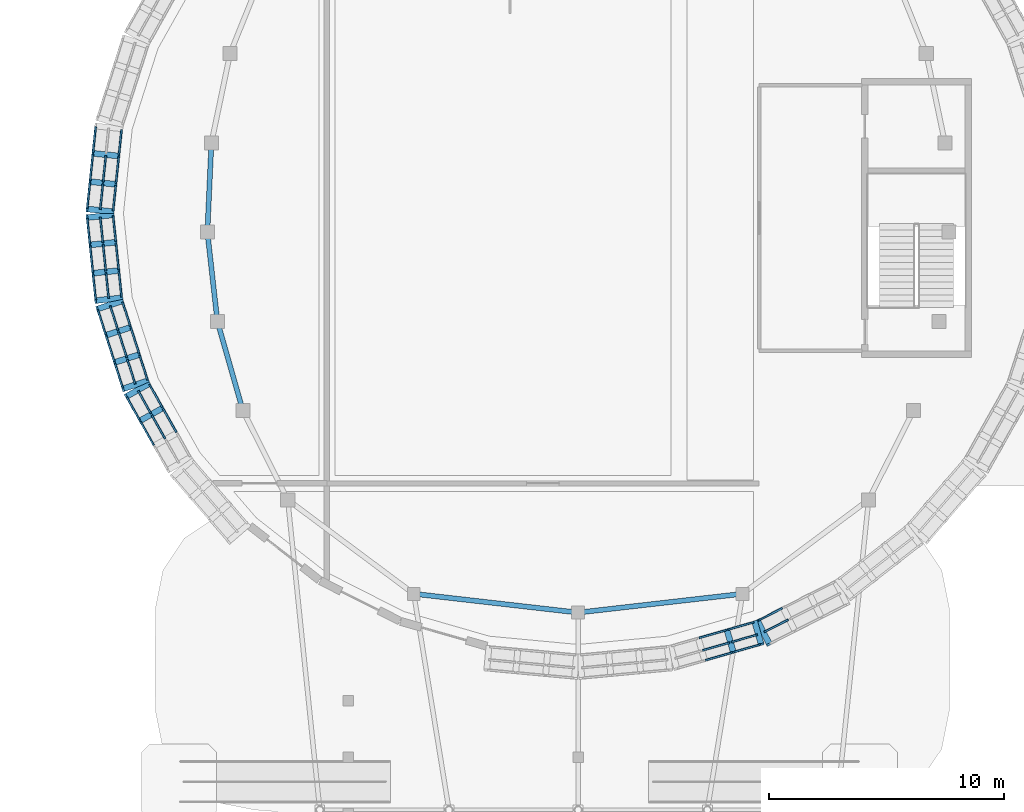
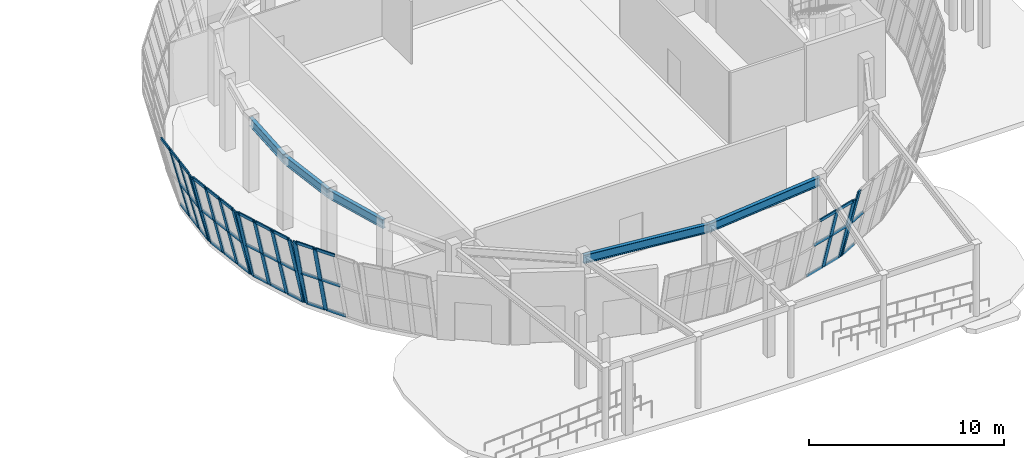
# One storey, part 22 of 120: 56 members, 5 beams, 6 elements without a shape of their own.
"""IFC4 building model written with IfcOpenShell, lengths in metres."""

from ifc_helpers import new_model, si_unit, direction, frame, origin, origin_2d, place, context, subcontext, project, spatial, rectangle, i_section, extrude, material, material_profile, profile_set, type_object, element, aggregate, save


model = new_model("IFC4")

# Units and contexts
model_context = context("Model", 3, precision=1e-05, world=origin(), true_north=direction((0.0, 1.0)))
body_context = subcontext(model_context, "Body", "Model", "MODEL_VIEW")
ifc_project = project(units=[si_unit("LENGTHUNIT", "METRE"), si_unit("AREAUNIT", "SQUARE_METRE"), si_unit("VOLUMEUNIT", "CUBIC_METRE"), si_unit("PLANEANGLEUNIT", "RADIAN"), si_unit("MASSUNIT", "GRAM", prefix="KILO")], contexts=[model_context])

# Site, building, storey
site_placement = place(None, origin())
site = spatial("IfcSite", under=ifc_project, at=site_placement, CompositionType="ELEMENT")
building_placement = place(site_placement, origin())
building = spatial("IfcBuilding", under=site, at=building_placement, Name="Corveleigh Park Community Centre", CompositionType="ELEMENT")
storey_placement = place(building_placement, origin())
storey = spatial("IfcBuildingStorey", under=building, at=storey_placement, Name="L00", CompositionType="ELEMENT", Elevation=0.0)

# Beams
ifc_material_1 = material(Name="Steel S355", Category="steel")
ifc_material_profile_1 = material_profile(ifc_material_1, i_section(OverallWidth=0.210693359375, OverallDepth=0.53955078125, WebThickness=0.01171875, FlangeThickness=0.018798828125, at=origin_2d()), Name="UKB 533x210x109", Category="steel")
ifc_profile_set_1 = profile_set([ifc_material_profile_1], Name="Steel S355")
beam_type = type_object("IfcBeamType", Name="BM-STL-UKB533x109", PredefinedType="BEAM", material=ifc_profile_set_1)
for number, where, z_axis, x_axis, name in (
    (1, (24.0048828125, 11.3994140625, 4.2421875), (0.993533567391, -0.113538761962, 0.0), (0.113538761962, 0.993533567391, 0.0), "V1 Drum Ring Girder"),
    (2, (31.0048828125, 10.6005859375, 4.2421875), (0.993533567391, 0.113538761962, 0.0), (-0.113538761962, 0.993533567391, 0.0), "V1 Drum Ring Girder"),
):
    element("IfcBeam", number, at=place(storey_placement, frame(where, z_axis=z_axis, x_axis=x_axis)), inside=storey, type_object=beam_type, Name=name, PredefinedType="BEAM", context=body_context, shape_type="SweptSolid", body=[
        extrude(i_section(OverallWidth=0.210693359375, OverallDepth=0.53955078125, WebThickness=0.01171875, FlangeThickness=0.018798828125, at=origin_2d()), origin(), (0.0, 0.0, 1.0), 7.03564453125),
    ])
beam_1_placement = place(storey_placement, frame((15.3857421875, 30.594970703125, 4.2421875), z_axis=(-0.045495229392, -0.998964555979, 0.0), x_axis=(0.998964555979, -0.045495229392, 0.0)))
element("IfcBeam", 3, at=beam_1_placement, inside=storey, type_object=beam_type, Name="V1 Drum Ring Girder", PredefinedType="BEAM", context=body_context, shape_type="SweptSolid", body=[
    extrude(i_section(OverallWidth=0.210693359375, OverallDepth=0.53955078125, WebThickness=0.01171875, FlangeThickness=0.018798828125, at=origin_2d()), origin(), (0.0, 0.0, 1.0), 3.7939453125),
])
beam_2_placement = place(storey_placement, frame((15.213623046875, 26.794921875, 4.2421875), z_axis=(0.111892750886, -0.993720288763, 0.0), x_axis=(0.993720288763, 0.111892750886, 0.0)))
element("IfcBeam", 4, at=beam_2_placement, inside=storey, type_object=beam_type, Name="V1 Drum Ring Girder", PredefinedType="BEAM", context=body_context, shape_type="SweptSolid", body=[
    extrude(i_section(OverallWidth=0.210693359375, OverallDepth=0.53955078125, WebThickness=0.01171875, FlangeThickness=0.018798828125, at=origin_2d()), origin(), (0.0, 0.0, 1.0), 3.81396484375),
])
beam_3_placement = place(storey_placement, frame((15.642333984375, 22.9951171875, 4.2421875), z_axis=(0.274336604371, -0.961633728351, 0.0), x_axis=(0.961633728351, 0.274336604371, 0.0)))
element("IfcBeam", 5, at=beam_3_placement, inside=storey, type_object=beam_type, Name="V1 Drum Ring Girder", PredefinedType="BEAM", context=body_context, shape_type="SweptSolid", body=[
    extrude(i_section(OverallWidth=0.210693359375, OverallDepth=0.53955078125, WebThickness=0.01171875, FlangeThickness=0.018798828125, at=origin_2d()), origin(), (0.0, 0.0, 1.0), 3.94140625),
])

# Curtain wall, members
ifc_material_2 = material(Name="Anodised aluminium 6063-T6", Category="aluminium")
curtain_wall_type = type_object("IfcCurtainWallType", Name="CW-SYS-V1-L00", PredefinedType="NOTDEFINED", material=ifc_material_2)
curtain_wall_1_placement = place(storey_placement, origin())
curtain_wall_1 = element("IfcCurtainWall", 6, at=curtain_wall_1_placement, inside=storey, type_object=curtain_wall_type, Name="Main Hall Flared Drum CW 16", PredefinedType="NOTDEFINED")
ifc_material_profile_2 = material_profile(ifc_material_2, rectangle(XDim=0.080078125, YDim=0.25, at=origin_2d()), Name="ALU-M80x250", Category="aluminium")
ifc_profile_set_2 = profile_set([ifc_material_profile_2], Name="Anodised aluminium 6063-T6")
member_type_1 = type_object("IfcMemberType", Name="CWM-80x250", PredefinedType="MULLION", material=ifc_profile_set_2)
member_1_placement = place(storey_placement, frame((11.452392578125, 30.036376953125, 0.0), z_axis=(-0.240668855263, 0.024885915662, 0.970288201159), x_axis=(0.965142168995, -0.099798732134, 0.241952075196)))
member_1 = element("IfcMember", 7, at=member_1_placement, type_object=member_type_1, Name="CW01 mullion 2", PredefinedType="MULLION", context=body_context, shape_type="SweptSolid", body=[
    extrude(rectangle(XDim=0.080078125, YDim=0.25, at=origin_2d()), origin(), (0.0, 0.0, 1.0), 4.650146484375),
])
member_2_placement = place(storey_placement, frame((11.32763671875, 28.831787109375, 0.0), z_axis=(-0.240619393384, 0.024886230082, 0.970300460208), x_axis=(0.965152134893, -0.099821538717, 0.241902908044)))
member_2 = element("IfcMember", 8, at=member_2_placement, type_object=member_type_1, Name="CW01 mullion 3", PredefinedType="MULLION", context=body_context, shape_type="SweptSolid", body=[
    extrude(rectangle(XDim=0.080078125, YDim=0.25, at=origin_2d()), origin(), (0.0, 0.0, 1.0), 4.650146484375),
])
member_3_placement = place(storey_placement, frame((11.20703125, 27.666748046875, 0.0), z_axis=(-0.240619393384, 0.024886230082, 0.970300460208), x_axis=(0.965152134893, -0.099821538717, 0.241902908044)))
member_3 = element("IfcMember", 9, at=member_3_placement, type_object=member_type_1, Name="CW01 mullion 4", PredefinedType="MULLION", context=body_context, shape_type="SweptSolid", body=[
    extrude(rectangle(XDim=0.080078125, YDim=0.25, at=origin_2d()), origin(), (0.0, 0.0, 1.0), 4.650146484375),
])

curtain_wall_2_placement = place(storey_placement, origin())
curtain_wall_2 = element("IfcCurtainWall", 10, at=curtain_wall_2_placement, inside=storey, type_object=curtain_wall_type, Name="Main Hall Flared Drum CW 17", PredefinedType="NOTDEFINED")
member_4_placement = place(storey_placement, frame((11.20703125, 27.533203125, 0.0), z_axis=(-0.240619393384, -0.024886230082, 0.970300460208), x_axis=(0.965152134893, 0.099821538717, 0.241902908044)))
member_4 = element("IfcMember", 11, at=member_4_placement, type_object=member_type_1, Name="CW01 mullion 1", PredefinedType="MULLION", context=body_context, shape_type="SweptSolid", body=[
    extrude(rectangle(XDim=0.080078125, YDim=0.25, at=origin_2d()), origin(), (0.0, 0.0, 1.0), 4.650146484375),
])
member_5_placement = place(storey_placement, frame((11.32763671875, 26.368408203125, 0.0), z_axis=(-0.240619078662, -0.024938700058, 0.970299191087), x_axis=(0.965129300216, 0.100029766005, 0.241907998579)))
member_5 = element("IfcMember", 12, at=member_5_placement, type_object=member_type_1, Name="CW01 mullion 2", PredefinedType="MULLION", context=body_context, shape_type="SweptSolid", body=[
    extrude(rectangle(XDim=0.080078125, YDim=0.25, at=origin_2d()), origin(), (0.0, 0.0, 1.0), 4.650146484375),
])
member_6_placement = place(storey_placement, frame((11.452392578125, 25.16357421875, 0.0), z_axis=(-0.240668855263, -0.024885915662, 0.970288201159), x_axis=(0.965142168995, 0.099798732134, 0.241952075196)))
member_6 = element("IfcMember", 13, at=member_6_placement, type_object=member_type_1, Name="CW01 mullion 3", PredefinedType="MULLION", context=body_context, shape_type="SweptSolid", body=[
    extrude(rectangle(XDim=0.080078125, YDim=0.25, at=origin_2d()), origin(), (0.0, 0.0, 1.0), 4.650146484375),
])
member_7_placement = place(storey_placement, frame((11.572998046875, 23.998779296875, 0.0), z_axis=(-0.240668855263, -0.024885915662, 0.970288201159), x_axis=(0.965142168995, 0.099798732134, 0.241952075196)))
member_7 = element("IfcMember", 14, at=member_7_placement, type_object=member_type_1, Name="CW01 mullion 4", PredefinedType="MULLION", context=body_context, shape_type="SweptSolid", body=[
    extrude(rectangle(XDim=0.080078125, YDim=0.25, at=origin_2d()), origin(), (0.0, 0.0, 1.0), 4.650146484375),
])

curtain_wall_3_placement = place(storey_placement, origin())
curtain_wall_3 = element("IfcCurtainWall", 15, at=curtain_wall_3_placement, inside=storey, type_object=curtain_wall_type, Name="Main Hall Flared Drum CW 18", PredefinedType="NOTDEFINED")
member_8_placement = place(storey_placement, frame((11.60009765625, 23.867919921875, 0.0), z_axis=(-0.230432884742, -0.073660819616, 0.970296227594), x_axis=(0.924223979595, 0.295440018996, 0.241919884914)))
member_8 = element("IfcMember", 16, at=member_8_placement, type_object=member_type_1, Name="CW01 mullion 1", PredefinedType="MULLION", context=body_context, shape_type="SweptSolid", body=[
    extrude(rectangle(XDim=0.080078125, YDim=0.25, at=origin_2d()), origin(), (0.0, 0.0, 1.0), 4.650146484375),
])
member_9_placement = place(storey_placement, frame((11.958251953125, 22.74755859375, 0.0), z_axis=(-0.230432884742, -0.073660819616, 0.970296227594), x_axis=(0.924223979595, 0.295440018996, 0.241919884914)))
member_9 = element("IfcMember", 17, at=member_9_placement, type_object=member_type_1, Name="CW01 mullion 2", PredefinedType="MULLION", context=body_context, shape_type="SweptSolid", body=[
    extrude(rectangle(XDim=0.080078125, YDim=0.25, at=origin_2d()), origin(), (0.0, 0.0, 1.0), 4.650146484375),
])
member_10_placement = place(storey_placement, frame((12.32861328125, 21.58935546875, 0.0), z_axis=(-0.230432884742, -0.073660819616, 0.970296227594), x_axis=(0.924223979595, 0.295440018996, 0.241919884914)))
member_10 = element("IfcMember", 18, at=member_10_placement, type_object=member_type_1, Name="CW01 mullion 3", PredefinedType="MULLION", context=body_context, shape_type="SweptSolid", body=[
    extrude(rectangle(XDim=0.080078125, YDim=0.25, at=origin_2d()), origin(), (0.0, 0.0, 1.0), 4.650146484375),
])
member_11_placement = place(storey_placement, frame((12.686767578125, 20.468994140625, 0.0), z_axis=(-0.230432884742, -0.073660819616, 0.970296227594), x_axis=(0.924223979595, 0.295440018996, 0.241919884914)))
member_11 = element("IfcMember", 19, at=member_11_placement, type_object=member_type_1, Name="CW01 mullion 4", PredefinedType="MULLION", context=body_context, shape_type="SweptSolid", body=[
    extrude(rectangle(XDim=0.080078125, YDim=0.25, at=origin_2d()), origin(), (0.0, 0.0, 1.0), 4.650146484375),
])

curtain_wall_4_placement = place(storey_placement, origin())
curtain_wall_4 = element("IfcCurtainWall", 20, at=curtain_wall_4_placement, inside=storey, type_object=curtain_wall_type, Name="Main Hall Flared Drum CW 19", PredefinedType="NOTDEFINED")
member_12_placement = place(storey_placement, frame((12.739501953125, 20.34814453125, 0.0), z_axis=(-0.210798134358, -0.118655985965, 0.970301449832), x_axis=(0.845550363495, 0.475951138605, 0.241898938514)))
member_12 = element("IfcMember", 21, at=member_12_placement, type_object=member_type_1, Name="CW01 mullion 1", PredefinedType="MULLION", context=body_context, shape_type="SweptSolid", body=[
    extrude(rectangle(XDim=0.080078125, YDim=0.25, at=origin_2d()), origin(), (0.0, 0.0, 1.0), 4.650146484375),
])
member_13_placement = place(storey_placement, frame((13.3212890625, 19.314697265625, 0.0), z_axis=(-0.210798134358, -0.118655985965, 0.970301449832), x_axis=(0.845550363495, 0.475951138605, 0.241898938514)))
member_13 = element("IfcMember", 22, at=member_13_placement, type_object=member_type_1, Name="CW01 mullion 2", PredefinedType="MULLION", context=body_context, shape_type="SweptSolid", body=[
    extrude(rectangle(XDim=0.080078125, YDim=0.25, at=origin_2d()), origin(), (0.0, 0.0, 1.0), 4.650146484375),
])

curtain_wall_5_placement = place(storey_placement, origin())
curtain_wall_5 = element("IfcCurtainWall", 23, at=curtain_wall_5_placement, inside=storey, type_object=curtain_wall_type, Name="Main Hall Flared Drum CW 23", PredefinedType="NOTDEFINED")
member_14_placement = place(storey_placement, frame((37.3310546875, 9.8720703125, 0.0), z_axis=(0.066903679706, -0.232433116876, 0.970308581752), x_axis=(-0.268396767668, 0.932449418964, 0.241870329265)))
member_14 = element("IfcMember", 24, at=member_14_placement, type_object=member_type_1, Name="CW01 mullion 3", PredefinedType="MULLION", context=body_context, shape_type="SweptSolid", body=[
    extrude(rectangle(XDim=0.080078125, YDim=0.25, at=origin_2d()), origin(), (0.0, 0.0, 1.0), 4.16357421875),
])
member_15_placement = place(storey_placement, frame((38.5146484375, 10.212890625, 0.0), z_axis=(0.066904591437, -0.232377647558, 0.97032180464), x_axis=(-0.268462968055, 0.932444121298, 0.241817276967)))
member_15 = element("IfcMember", 25, at=member_15_placement, type_object=member_type_1, Name="CW01 mullion 4", PredefinedType="MULLION", context=body_context, shape_type="SweptSolid", body=[
    extrude(rectangle(XDim=0.080078125, YDim=0.25, at=origin_2d()), origin(), (0.0, 0.0, 1.0), 4.16357421875),
])

# Curtain wall, member
curtain_wall_6_placement = place(storey_placement, origin())
curtain_wall_6 = element("IfcCurtainWall", 26, at=curtain_wall_6_placement, inside=storey, type_object=curtain_wall_type, Name="Main Hall Flared Drum CW 24", PredefinedType="NOTDEFINED")
member_16_placement = place(storey_placement, frame((38.634765625, 10.260009765625, 0.0), z_axis=(0.10946752743, -0.215732407774, 0.970297062077), x_axis=(-0.439060599847, 0.865275781665, 0.241916537933)))
member_16 = element("IfcMember", 27, at=member_16_placement, type_object=member_type_1, Name="CW01 mullion 1", PredefinedType="MULLION", context=body_context, shape_type="SweptSolid", body=[
    extrude(rectangle(XDim=0.080078125, YDim=0.25, at=origin_2d()), origin(), (0.0, 0.0, 1.0), 4.650146484375),
])

# Member
ifc_material_profile_3 = material_profile(ifc_material_2, rectangle(XDim=0.074951171875, YDim=0.175048828125, at=origin_2d()), Name="ALU-T75x175", Category="aluminium")
ifc_profile_set_3 = profile_set([ifc_material_profile_3], Name="Anodised aluminium 6063-T6")
member_type_2 = type_object("IfcMemberType", Name="CWT-75x175", PredefinedType="USERDEFINED", material=ifc_profile_set_3)
member_17_placement = place(storey_placement, frame((11.5595703125, 31.162353515625, 0.03759765625), z_axis=(-0.102937324698, -0.994687844092, 0.0), x_axis=(0.994687844092, -0.102937324698, 0.0)))
member_17 = element("IfcMember", 28, at=member_17_placement, type_object=member_type_2, Name="CW01 transom 1.1", ObjectType="TRANSOM", PredefinedType="USERDEFINED", context=body_context, shape_type="SweptSolid", body=[
    extrude(rectangle(XDim=0.074951171875, YDim=0.175048828125, at=origin_2d()), origin(), (0.0, 0.0, 1.0), 1.091064453125),
])

member_18_placement = place(storey_placement, frame((10.458984375, 31.2763671875, 4.474609375), z_axis=(-0.102914417151, -0.99469021446, 0.0), x_axis=(0.99469021446, -0.102914417151, 0.0)))
member_18 = element("IfcMember", 29, at=member_18_placement, type_object=member_type_2, Name="CW01 transom 1.3", ObjectType="TRANSOM", PredefinedType="USERDEFINED", context=body_context, shape_type="SweptSolid", body=[
    extrude(rectangle(XDim=0.074951171875, YDim=0.175048828125, at=origin_2d()), origin(), (0.0, 0.0, 1.0), 1.09130859375),
])

member_19_placement = place(storey_placement, frame((11.43896484375, 29.99755859375, 0.03759765625), z_axis=(-0.102943329401, -0.994687222664, 0.0), x_axis=(0.994687222664, -0.102943329401, 0.0)))
member_19 = element("IfcMember", 30, at=member_19_placement, type_object=member_type_2, Name="CW01 transom 2.1", ObjectType="TRANSOM", PredefinedType="USERDEFINED", context=body_context, shape_type="SweptSolid", body=[
    extrude(rectangle(XDim=0.074951171875, YDim=0.175048828125, at=origin_2d()), origin(), (0.0, 0.0, 1.0), 1.13134765625),
])

member_20_placement = place(storey_placement, frame((10.89013671875, 30.05419921875, 2.25), z_axis=(-0.102965432712, -0.994684934875, 0.0), x_axis=(0.994684934875, -0.102965432712, 0.0)))
member_20 = element("IfcMember", 31, at=member_20_placement, type_object=member_type_2, Name="CW01 transom 2.2", ObjectType="TRANSOM", PredefinedType="USERDEFINED", context=body_context, shape_type="SweptSolid", body=[
    extrude(rectangle(XDim=0.074951171875, YDim=0.175048828125, at=origin_2d()), origin(), (0.0, 0.0, 1.0), 1.131103515625),
])

member_21_placement = place(storey_placement, frame((10.33837890625, 30.111328125, 4.474609375), z_axis=(-0.102751853677, -0.994707020467, 0.0), x_axis=(0.994707020467, -0.102751853677, 0.0)))
member_21 = element("IfcMember", 32, at=member_21_placement, type_object=member_type_2, Name="CW01 transom 2.3", ObjectType="TRANSOM", PredefinedType="USERDEFINED", context=body_context, shape_type="SweptSolid", body=[
    extrude(rectangle(XDim=0.074951171875, YDim=0.175048828125, at=origin_2d()), origin(), (0.0, 0.0, 1.0), 1.131103515625),
])

member_22_placement = place(storey_placement, frame((11.314208984375, 28.792724609375, 0.03759765625), z_axis=(-0.102937324698, -0.994687844092, 0.0), x_axis=(0.994687844092, -0.102937324698, 0.0)))
member_22 = element("IfcMember", 33, at=member_22_placement, type_object=member_type_2, Name="CW01 transom 3.1", ObjectType="TRANSOM", PredefinedType="USERDEFINED", context=body_context, shape_type="SweptSolid", body=[
    extrude(rectangle(XDim=0.074951171875, YDim=0.175048828125, at=origin_2d()), origin(), (0.0, 0.0, 1.0), 1.091064453125),
])

member_23_placement = place(storey_placement, frame((10.765625, 28.849609375, 2.25), z_axis=(-0.102937324698, -0.994687844092, 0.0), x_axis=(0.994687844092, -0.102937324698, 0.0)))
member_23 = element("IfcMember", 34, at=member_23_placement, type_object=member_type_2, Name="CW01 transom 3.2", ObjectType="TRANSOM", PredefinedType="USERDEFINED", context=body_context, shape_type="SweptSolid", body=[
    extrude(rectangle(XDim=0.074951171875, YDim=0.175048828125, at=origin_2d()), origin(), (0.0, 0.0, 1.0), 1.091064453125),
])

member_24_placement = place(storey_placement, frame((10.2138671875, 28.90673828125, 4.474609375), z_axis=(-0.102937324698, -0.994687844092, 0.0), x_axis=(0.994687844092, -0.102937324698, 0.0)))
member_24 = element("IfcMember", 35, at=member_24_placement, type_object=member_type_2, Name="CW01 transom 3.3", ObjectType="TRANSOM", PredefinedType="USERDEFINED", context=body_context, shape_type="SweptSolid", body=[
    extrude(rectangle(XDim=0.074951171875, YDim=0.175048828125, at=origin_2d()), origin(), (0.0, 0.0, 1.0), 1.091064453125),
])

aggregate(curtain_wall_1, [member_1, member_2, member_3, member_17, member_18, member_19, member_20, member_21, member_22, member_23, member_24])

member_25_placement = place(storey_placement, frame((11.201904296875, 27.492431640625, 0.03759765625), z_axis=(0.102937324698, -0.994687844092, 0.0), x_axis=(0.994687844092, 0.102937324698, 0.0)))
member_25 = element("IfcMember", 36, at=member_25_placement, type_object=member_type_2, Name="CW01 transom 1.1", ObjectType="TRANSOM", PredefinedType="USERDEFINED", context=body_context, shape_type="SweptSolid", body=[
    extrude(rectangle(XDim=0.074951171875, YDim=0.175048828125, at=origin_2d()), origin(), (0.0, 0.0, 1.0), 1.091064453125),
])

member_26_placement = place(storey_placement, frame((10.6533203125, 27.435791015625, 2.25), z_axis=(0.102914417151, -0.99469021446, 0.0), x_axis=(0.99469021446, 0.102914417151, 0.0)))
member_26 = element("IfcMember", 37, at=member_26_placement, type_object=member_type_2, Name="CW01 transom 1.2", ObjectType="TRANSOM", PredefinedType="USERDEFINED", context=body_context, shape_type="SweptSolid", body=[
    extrude(rectangle(XDim=0.074951171875, YDim=0.175048828125, at=origin_2d()), origin(), (0.0, 0.0, 1.0), 1.09130859375),
])

member_27_placement = place(storey_placement, frame((10.1015625, 27.378662109375, 4.474609375), z_axis=(0.102914417151, -0.99469021446, 0.0), x_axis=(0.99469021446, 0.102914417151, 0.0)))
member_27 = element("IfcMember", 38, at=member_27_placement, type_object=member_type_2, Name="CW01 transom 1.3", ObjectType="TRANSOM", PredefinedType="USERDEFINED", context=body_context, shape_type="SweptSolid", body=[
    extrude(rectangle(XDim=0.074951171875, YDim=0.175048828125, at=origin_2d()), origin(), (0.0, 0.0, 1.0), 1.09130859375),
])

member_28_placement = place(storey_placement, frame((11.322509765625, 26.32763671875, 0.03759765625), z_axis=(0.102943329401, -0.994687222664, 0.0), x_axis=(0.994687222664, 0.102943329401, 0.0)))
member_28 = element("IfcMember", 39, at=member_28_placement, type_object=member_type_2, Name="CW01 transom 2.1", ObjectType="TRANSOM", PredefinedType="USERDEFINED", context=body_context, shape_type="SweptSolid", body=[
    extrude(rectangle(XDim=0.074951171875, YDim=0.175048828125, at=origin_2d()), origin(), (0.0, 0.0, 1.0), 1.13134765625),
])

member_29_placement = place(storey_placement, frame((10.773681640625, 26.270751953125, 2.25), z_axis=(0.102965432712, -0.994684934875, 0.0), x_axis=(0.994684934875, 0.102965432712, 0.0)))
member_29 = element("IfcMember", 40, at=member_29_placement, type_object=member_type_2, Name="CW01 transom 2.2", ObjectType="TRANSOM", PredefinedType="USERDEFINED", context=body_context, shape_type="SweptSolid", body=[
    extrude(rectangle(XDim=0.074951171875, YDim=0.175048828125, at=origin_2d()), origin(), (0.0, 0.0, 1.0), 1.131103515625),
])

member_30_placement = place(storey_placement, frame((10.22216796875, 26.213623046875, 4.474609375), z_axis=(0.102751853677, -0.994707020467, 0.0), x_axis=(0.994707020467, 0.102751853677, 0.0)))
member_30 = element("IfcMember", 41, at=member_30_placement, type_object=member_type_2, Name="CW01 transom 2.3", ObjectType="TRANSOM", PredefinedType="USERDEFINED", context=body_context, shape_type="SweptSolid", body=[
    extrude(rectangle(XDim=0.074951171875, YDim=0.175048828125, at=origin_2d()), origin(), (0.0, 0.0, 1.0), 1.131103515625),
])

member_31_placement = place(storey_placement, frame((11.447265625, 25.122802734375, 0.03759765625), z_axis=(0.102937324698, -0.994687844092, 0.0), x_axis=(0.994687844092, 0.102937324698, 0.0)))
member_31 = element("IfcMember", 42, at=member_31_placement, type_object=member_type_2, Name="CW01 transom 3.1", ObjectType="TRANSOM", PredefinedType="USERDEFINED", context=body_context, shape_type="SweptSolid", body=[
    extrude(rectangle(XDim=0.074951171875, YDim=0.175048828125, at=origin_2d()), origin(), (0.0, 0.0, 1.0), 1.091064453125),
])

member_32_placement = place(storey_placement, frame((10.8984375, 25.066162109375, 2.25), z_axis=(0.102914417151, -0.99469021446, 0.0), x_axis=(0.99469021446, 0.102914417151, 0.0)))
member_32 = element("IfcMember", 43, at=member_32_placement, type_object=member_type_2, Name="CW01 transom 3.2", ObjectType="TRANSOM", PredefinedType="USERDEFINED", context=body_context, shape_type="SweptSolid", body=[
    extrude(rectangle(XDim=0.074951171875, YDim=0.175048828125, at=origin_2d()), origin(), (0.0, 0.0, 1.0), 1.09130859375),
])

member_33_placement = place(storey_placement, frame((10.3466796875, 25.009033203125, 4.474609375), z_axis=(0.102937324698, -0.994687844092, 0.0), x_axis=(0.994687844092, 0.102937324698, 0.0)))
member_33 = element("IfcMember", 44, at=member_33_placement, type_object=member_type_2, Name="CW01 transom 3.3", ObjectType="TRANSOM", PredefinedType="USERDEFINED", context=body_context, shape_type="SweptSolid", body=[
    extrude(rectangle(XDim=0.074951171875, YDim=0.175048828125, at=origin_2d()), origin(), (0.0, 0.0, 1.0), 1.091064453125),
])

aggregate(curtain_wall_2, [member_4, member_5, member_6, member_7, member_25, member_26, member_27, member_28, member_29, member_30, member_31, member_32, member_33])

member_34_placement = place(storey_placement, frame((11.603515625, 23.826904296875, 0.03759765625), z_axis=(0.304508988552, -0.952509462363, 0.0), x_axis=(0.952509462363, 0.304508988552, 0.0)))
member_34 = element("IfcMember", 45, at=member_34_placement, type_object=member_type_2, Name="CW01 transom 1.1", ObjectType="TRANSOM", PredefinedType="USERDEFINED", context=body_context, shape_type="SweptSolid", body=[
    extrude(rectangle(XDim=0.074951171875, YDim=0.175048828125, at=origin_2d()), origin(), (0.0, 0.0, 1.0), 1.095947265625),
])

member_35_placement = place(storey_placement, frame((11.078125, 23.658935546875, 2.25), z_axis=(0.304508988552, -0.952509462363, 0.0), x_axis=(0.952509462363, 0.304508988552, 0.0)))
member_35 = element("IfcMember", 46, at=member_35_placement, type_object=member_type_2, Name="CW01 transom 1.2", ObjectType="TRANSOM", PredefinedType="USERDEFINED", context=body_context, shape_type="SweptSolid", body=[
    extrude(rectangle(XDim=0.074951171875, YDim=0.175048828125, at=origin_2d()), origin(), (0.0, 0.0, 1.0), 1.095947265625),
])

member_36_placement = place(storey_placement, frame((10.5498046875, 23.489990234375, 4.474609375), z_axis=(0.304508988552, -0.952509462363, 0.0), x_axis=(0.952509462363, 0.304508988552, 0.0)))
member_36 = element("IfcMember", 47, at=member_36_placement, type_object=member_type_2, Name="CW01 transom 1.3", ObjectType="TRANSOM", PredefinedType="USERDEFINED", context=body_context, shape_type="SweptSolid", body=[
    extrude(rectangle(XDim=0.074951171875, YDim=0.175048828125, at=origin_2d()), origin(), (0.0, 0.0, 1.0), 1.095947265625),
])

member_37_placement = place(storey_placement, frame((11.961669921875, 22.706787109375, 0.03759765625), z_axis=(0.304471649393, -0.952521398561, 0.0), x_axis=(0.952521398561, 0.304471649393, 0.0)))
member_37 = element("IfcMember", 48, at=member_37_placement, type_object=member_type_2, Name="CW01 transom 2.1", ObjectType="TRANSOM", PredefinedType="USERDEFINED", context=body_context, shape_type="SweptSolid", body=[
    extrude(rectangle(XDim=0.074951171875, YDim=0.175048828125, at=origin_2d()), origin(), (0.0, 0.0, 1.0), 1.13623046875),
])

member_38_placement = place(storey_placement, frame((11.43603515625, 22.538818359375, 2.25), z_axis=(0.304666581719, -0.952459066828, 0.0), x_axis=(0.952459066828, 0.304666581719, 0.0)))
member_38 = element("IfcMember", 49, at=member_38_placement, type_object=member_type_2, Name="CW01 transom 2.2", ObjectType="TRANSOM", PredefinedType="USERDEFINED", context=body_context, shape_type="SweptSolid", body=[
    extrude(rectangle(XDim=0.074951171875, YDim=0.175048828125, at=origin_2d()), origin(), (0.0, 0.0, 1.0), 1.13623046875),
])

member_39_placement = place(storey_placement, frame((10.907958984375, 22.369873046875, 4.474609375), z_axis=(0.304471649393, -0.952521398561, 0.0), x_axis=(0.952521398561, 0.304471649393, 0.0)))
member_39 = element("IfcMember", 50, at=member_39_placement, type_object=member_type_2, Name="CW01 transom 2.3", ObjectType="TRANSOM", PredefinedType="USERDEFINED", context=body_context, shape_type="SweptSolid", body=[
    extrude(rectangle(XDim=0.074951171875, YDim=0.175048828125, at=origin_2d()), origin(), (0.0, 0.0, 1.0), 1.13623046875),
])

member_40_placement = place(storey_placement, frame((12.33203125, 21.54833984375, 0.03759765625), z_axis=(0.304508988552, -0.952509462363, 0.0), x_axis=(0.952509462363, 0.304508988552, 0.0)))
member_40 = element("IfcMember", 51, at=member_40_placement, type_object=member_type_2, Name="CW01 transom 3.1", ObjectType="TRANSOM", PredefinedType="USERDEFINED", context=body_context, shape_type="SweptSolid", body=[
    extrude(rectangle(XDim=0.074951171875, YDim=0.175048828125, at=origin_2d()), origin(), (0.0, 0.0, 1.0), 1.095947265625),
])

member_41_placement = place(storey_placement, frame((11.806396484375, 21.38037109375, 2.25), z_axis=(0.304711069795, -0.952444835119, 0.0), x_axis=(0.952444835119, 0.304711069795, 0.0)))
member_41 = element("IfcMember", 52, at=member_41_placement, type_object=member_type_2, Name="CW01 transom 3.2", ObjectType="TRANSOM", PredefinedType="USERDEFINED", context=body_context, shape_type="SweptSolid", body=[
    extrude(rectangle(XDim=0.074951171875, YDim=0.175048828125, at=origin_2d()), origin(), (0.0, 0.0, 1.0), 1.095947265625),
])

member_42_placement = place(storey_placement, frame((11.278076171875, 21.21142578125, 4.474609375), z_axis=(0.304711069795, -0.952444835119, 0.0), x_axis=(0.952444835119, 0.304711069795, 0.0)))
member_42 = element("IfcMember", 53, at=member_42_placement, type_object=member_type_2, Name="CW01 transom 3.3", ObjectType="TRANSOM", PredefinedType="USERDEFINED", context=body_context, shape_type="SweptSolid", body=[
    extrude(rectangle(XDim=0.074951171875, YDim=0.175048828125, at=origin_2d()), origin(), (0.0, 0.0, 1.0), 1.095947265625),
])

aggregate(curtain_wall_3, [member_8, member_9, member_10, member_11, member_34, member_35, member_36, member_37, member_38, member_39, member_40, member_41, member_42])

member_43_placement = place(storey_placement, frame((12.7509765625, 20.30859375, 0.03759765625), z_axis=(0.490565186833, -0.871404497043, 0.0), x_axis=(0.871404497043, 0.490565186833, 0.0)))
member_43 = element("IfcMember", 54, at=member_43_placement, type_object=member_type_2, Name="CW01 transom 1.1", ObjectType="TRANSOM", PredefinedType="USERDEFINED", context=body_context, shape_type="SweptSolid", body=[
    extrude(rectangle(XDim=0.074951171875, YDim=0.175048828125, at=origin_2d()), origin(), (0.0, 0.0, 1.0), 1.105712890625),
])

member_44_placement = place(storey_placement, frame((12.270263671875, 20.0380859375, 2.25), z_axis=(0.490565186833, -0.871404497043, 0.0), x_axis=(0.871404497043, 0.490565186833, 0.0)))
member_44 = element("IfcMember", 55, at=member_44_placement, type_object=member_type_2, Name="CW01 transom 1.2", ObjectType="TRANSOM", PredefinedType="USERDEFINED", context=body_context, shape_type="SweptSolid", body=[
    extrude(rectangle(XDim=0.074951171875, YDim=0.175048828125, at=origin_2d()), origin(), (0.0, 0.0, 1.0), 1.105712890625),
])

member_45_placement = place(storey_placement, frame((11.787109375, 19.76611328125, 4.474609375), z_axis=(0.490470824454, -0.871457612486, 0.0), x_axis=(0.871457612486, 0.490470824454, 0.0)))
member_45 = element("IfcMember", 56, at=member_45_placement, type_object=member_type_2, Name="CW01 transom 1.3", ObjectType="TRANSOM", PredefinedType="USERDEFINED", context=body_context, shape_type="SweptSolid", body=[
    extrude(rectangle(XDim=0.074951171875, YDim=0.175048828125, at=origin_2d()), origin(), (0.0, 0.0, 1.0), 1.10595703125),
])

member_46_placement = place(storey_placement, frame((13.332763671875, 19.275146484375, 0.03759765625), z_axis=(0.490645560304, -0.871359245176, 0.0), x_axis=(0.871359245176, 0.490645560304, 0.0)))
member_46 = element("IfcMember", 57, at=member_46_placement, type_object=member_type_2, Name="CW01 transom 2.1", ObjectType="TRANSOM", PredefinedType="USERDEFINED", context=body_context, shape_type="SweptSolid", body=[
    extrude(rectangle(XDim=0.074951171875, YDim=0.175048828125, at=origin_2d()), origin(), (0.0, 0.0, 1.0), 1.14599609375),
])

member_47_placement = place(storey_placement, frame((12.85205078125, 19.004638671875, 2.25), z_axis=(0.490483775951, -0.871450323041, 0.0), x_axis=(0.871450323041, 0.490483775951, 0.0)))
member_47 = element("IfcMember", 58, at=member_47_placement, type_object=member_type_2, Name="CW01 transom 2.2", ObjectType="TRANSOM", PredefinedType="USERDEFINED", context=body_context, shape_type="SweptSolid", body=[
    extrude(rectangle(XDim=0.074951171875, YDim=0.175048828125, at=origin_2d()), origin(), (0.0, 0.0, 1.0), 1.145751953125),
])

member_48_placement = place(storey_placement, frame((12.36865234375, 18.732666015625, 4.474609375), z_axis=(0.490554491168, -0.87141051818, 0.0), x_axis=(0.87141051818, 0.490554491168, 0.0)))
member_48 = element("IfcMember", 59, at=member_48_placement, type_object=member_type_2, Name="CW01 transom 2.3", ObjectType="TRANSOM", PredefinedType="USERDEFINED", context=body_context, shape_type="SweptSolid", body=[
    extrude(rectangle(XDim=0.074951171875, YDim=0.175048828125, at=origin_2d()), origin(), (0.0, 0.0, 1.0), 1.146240234375),
])

aggregate(curtain_wall_4, [member_12, member_13, member_43, member_44, member_45, member_46, member_47, member_48])

member_49_placement = place(storey_placement, frame((36.14990234375, 9.52197265625, 0.03759765625), z_axis=(0.960887555094, 0.276938813576, 0.0), x_axis=(-0.276938813576, 0.960887555094, 0.0)))
member_49 = element("IfcMember", 60, at=member_49_placement, type_object=member_type_2, Name="CW01 transom 2.1", ObjectType="TRANSOM", PredefinedType="USERDEFINED", context=body_context, shape_type="SweptSolid", body=[
    extrude(rectangle(XDim=0.074951171875, YDim=0.175048828125, at=origin_2d()), origin(), (0.0, 0.0, 1.0), 1.19189453125),
])

member_50_placement = place(storey_placement, frame((36.302734375, 8.9921875, 2.25), z_axis=(0.960926353962, 0.276804158679, 0.0), x_axis=(-0.276804158679, 0.960926353962, 0.0)))
member_50 = element("IfcMember", 61, at=member_50_placement, type_object=member_type_2, Name="CW01 transom 2.2", ObjectType="TRANSOM", PredefinedType="USERDEFINED", context=body_context, shape_type="SweptSolid", body=[
    extrude(rectangle(XDim=0.074951171875, YDim=0.175048828125, at=origin_2d()), origin(), (0.0, 0.0, 1.0), 1.191650390625),
])

member_51_placement = place(storey_placement, frame((36.423583984375, 8.572509765625, 4.00244140625), z_axis=(0.960926353962, 0.276804158679, 0.0), x_axis=(-0.276804158679, 0.960926353962, 0.0)))
member_51 = element("IfcMember", 62, at=member_51_placement, type_object=member_type_2, Name="CW01 transom 2.3", ObjectType="TRANSOM", PredefinedType="USERDEFINED", context=body_context, shape_type="SweptSolid", body=[
    extrude(rectangle(XDim=0.074951171875, YDim=0.175048828125, at=origin_2d()), origin(), (0.0, 0.0, 1.0), 1.191650390625),
])

member_52_placement = place(storey_placement, frame((37.3720703125, 9.8740234375, 0.03759765625), z_axis=(0.96091364535, 0.27684827285, 0.0), x_axis=(-0.27684827285, 0.96091364535, 0.0)))
member_52 = element("IfcMember", 63, at=member_52_placement, type_object=member_type_2, Name="CW01 transom 3.1", ObjectType="TRANSOM", PredefinedType="USERDEFINED", context=body_context, shape_type="SweptSolid", body=[
    extrude(rectangle(XDim=0.074951171875, YDim=0.175048828125, at=origin_2d()), origin(), (0.0, 0.0, 1.0), 1.151611328125),
])

member_53_placement = place(storey_placement, frame((37.524658203125, 9.34423828125, 2.25), z_axis=(0.960970021672, 0.27665252113, 0.0), x_axis=(-0.27665252113, 0.960970021672, 0.0)))
member_53 = element("IfcMember", 64, at=member_53_placement, type_object=member_type_2, Name="CW01 transom 3.2", ObjectType="TRANSOM", PredefinedType="USERDEFINED", context=body_context, shape_type="SweptSolid", body=[
    extrude(rectangle(XDim=0.074951171875, YDim=0.175048828125, at=origin_2d()), origin(), (0.0, 0.0, 1.0), 1.151611328125),
])

member_54_placement = place(storey_placement, frame((37.6455078125, 8.92431640625, 4.00244140625), z_axis=(0.96091364535, 0.27684827285, 0.0), x_axis=(-0.27684827285, 0.96091364535, 0.0)))
member_54 = element("IfcMember", 65, at=member_54_placement, type_object=member_type_2, Name="CW01 transom 3.3", ObjectType="TRANSOM", PredefinedType="USERDEFINED", context=body_context, shape_type="SweptSolid", body=[
    extrude(rectangle(XDim=0.074951171875, YDim=0.175048828125, at=origin_2d()), origin(), (0.0, 0.0, 1.0), 1.151611328125),
])

aggregate(curtain_wall_5, [member_14, member_15, member_49, member_50, member_51, member_52, member_53, member_54])

member_55_placement = place(storey_placement, frame((38.674560546875, 10.269775390625, 0.03759765625), z_axis=(0.89171981789, 0.452587854877, 0.0), x_axis=(-0.452587854877, 0.89171981789, 0.0)))
member_55 = element("IfcMember", 66, at=member_55_placement, type_object=member_type_2, Name="CW01 transom 1.1", ObjectType="TRANSOM", PredefinedType="USERDEFINED", context=body_context, shape_type="SweptSolid", body=[
    extrude(rectangle(XDim=0.074951171875, YDim=0.175048828125, at=origin_2d()), origin(), (0.0, 0.0, 1.0), 1.14306640625),
])

member_56_placement = place(storey_placement, frame((38.92431640625, 9.77783203125, 2.25), z_axis=(0.89163361085, 0.452757665869, 0.0), x_axis=(-0.452757665869, 0.89163361085, 0.0)))
member_56 = element("IfcMember", 67, at=member_56_placement, type_object=member_type_2, Name="CW01 transom 1.2", ObjectType="TRANSOM", PredefinedType="USERDEFINED", context=body_context, shape_type="SweptSolid", body=[
    extrude(rectangle(XDim=0.074951171875, YDim=0.175048828125, at=origin_2d()), origin(), (0.0, 0.0, 1.0), 1.14306640625),
])

aggregate(curtain_wall_6, [member_16, member_55, member_56])

save(model, "model.ifc")
